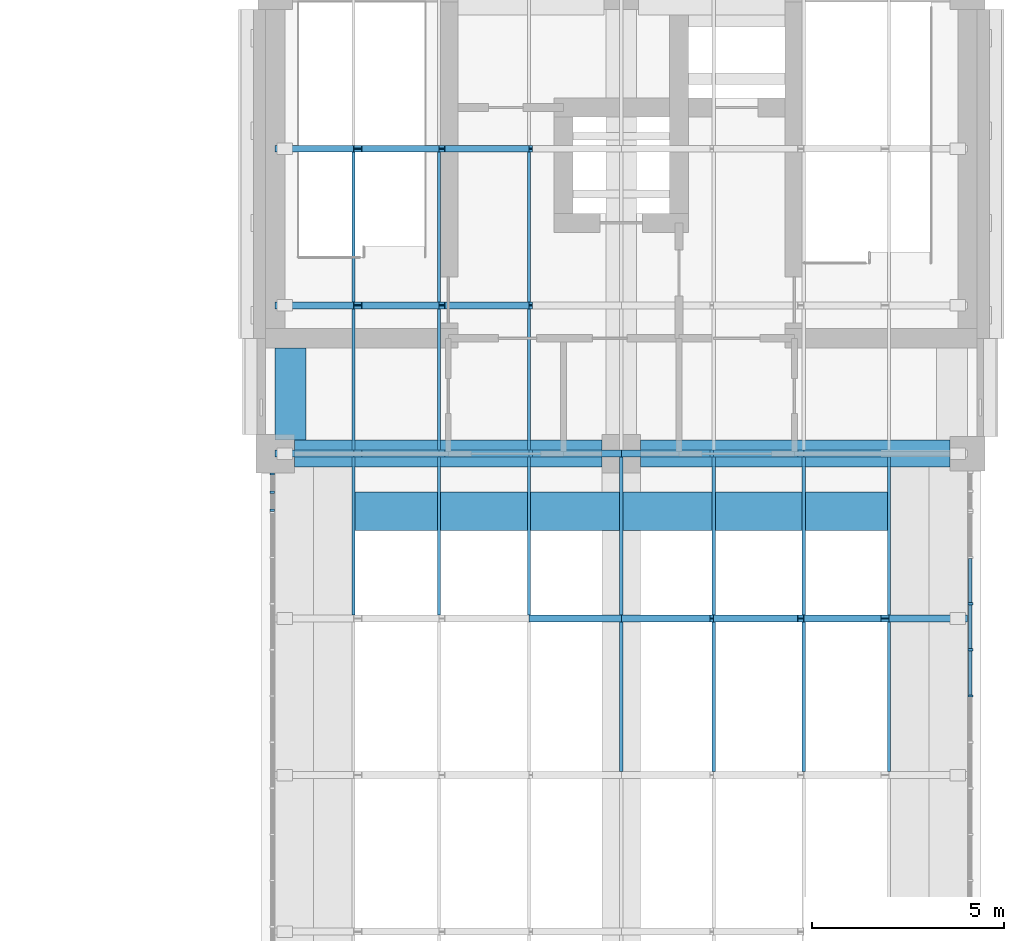
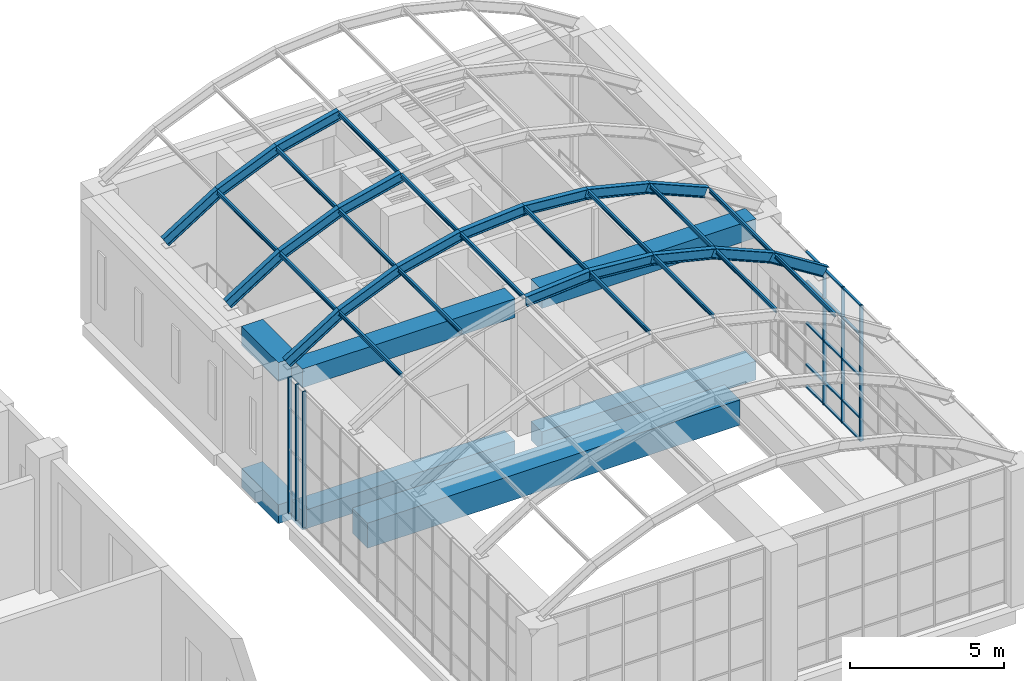
# One storey, part 10 of 39: 56 members, 7 beams, 2 elements without a shape of their own.
"""IFC4 building model written with IfcOpenShell, lengths in metres."""

from ifc_helpers import new_model, si_unit, direction, frame, origin, origin_2d, place, context, subcontext, project, spatial, rectangle, i_section, extrude, material, layer, layer_set, material_profile, profile_set, type_object, element, aggregate, save


model = new_model("IFC4")

# Units and contexts
model_context = context("Model", 3, precision=1e-05, world=origin(), true_north=direction((0.0, 1.0)))
body_context = subcontext(model_context, "Body", "Model", "MODEL_VIEW")
ifc_project = project(units=[si_unit("LENGTHUNIT", "METRE"), si_unit("AREAUNIT", "SQUARE_METRE"), si_unit("VOLUMEUNIT", "CUBIC_METRE"), si_unit("PLANEANGLEUNIT", "RADIAN"), si_unit("MASSUNIT", "GRAM", prefix="KILO")], contexts=[model_context])

# Site, building, storey
site_placement = place(None, origin())
site = spatial("IfcSite", under=ifc_project, at=site_placement, CompositionType="ELEMENT")
building_placement = place(site_placement, origin())
building = spatial("IfcBuilding", under=site, at=building_placement, Name="Aurelan Courthouse", CompositionType="ELEMENT")
storey_placement = place(building_placement, frame((0.0, 0.0, 28.199951171875)))
storey = spatial("IfcBuildingStorey", under=building, at=storey_placement, Name="L05", CompositionType="ELEMENT", Elevation=28.199951171875)

# Curtain wall, members
ifc_material_1 = material(Name="Bronze-finished aluminium and glass", Category="aluminium")
ifc_layer_1 = layer(ifc_material_1, 0.14990234375)
ifc_layer_set_1 = layer_set([ifc_layer_1], Name="Bronze-finished aluminium and glass")
curtain_wall_type_1 = type_object("IfcCurtainWallType", Name="Curtain wall 12000 x 5400", PredefinedType="NOTDEFINED", material=ifc_layer_set_1)
curtain_wall_1_placement = place(storey_placement, origin())
curtain_wall_1 = element("IfcCurtainWall", 1, at=curtain_wall_1_placement, inside=storey, type_object=curtain_wall_type_1, Name="Curtain wall CW-V3-L05-E02", PredefinedType="NOTDEFINED")
ifc_material_2 = material(Name="Bronze-finished aluminium", Category="aluminium")
ifc_material_profile_1 = material_profile(ifc_material_2, rectangle(XDim=0.125, YDim=0.06005859375, at=origin_2d()), Name="Bronze mullion 60 x 125")
ifc_profile_set_1 = profile_set([ifc_material_profile_1], Name="Bronze-finished aluminium")
member_type_1 = type_object("IfcMemberType", Name="Curtain wall mullion 60 x 125", PredefinedType="MULLION", material=ifc_profile_set_1)
member_1_placement = place(storey_placement, frame((90.074951171875, 47.699951171875, 0.0), z_axis=(0.0, 0.0, 1.0), x_axis=(-1.0, 0.0, 0.0)))
member_1 = element("IfcMember", 2, at=member_1_placement, type_object=member_type_1, Name="CW-V3-L05-E02 mullion 7", PredefinedType="MULLION", context=body_context, shape_type="SweptSolid", body=[
    extrude(rectangle(XDim=0.125, YDim=0.06005859375, at=origin_2d()), origin(), (0.0, 0.0, 1.0), 5.400146484375),
])
member_2_placement = place(storey_placement, frame((90.074951171875, 48.89990234375, 0.0), z_axis=(0.0, 0.0, 1.0), x_axis=(-1.0, 0.0, 0.0)))
member_2 = element("IfcMember", 3, at=member_2_placement, type_object=member_type_1, Name="CW-V3-L05-E02 mullion 8", PredefinedType="MULLION", context=body_context, shape_type="SweptSolid", body=[
    extrude(rectangle(XDim=0.125, YDim=0.06005859375, at=origin_2d()), origin(), (0.0, 0.0, 1.0), 5.400146484375),
])
member_3_placement = place(storey_placement, frame((90.074951171875, 50.10009765625, 0.0), z_axis=(0.0, 0.0, 1.0), x_axis=(-1.0, 0.0, 0.0)))
member_3 = element("IfcMember", 4, at=member_3_placement, type_object=member_type_1, Name="CW-V3-L05-E02 mullion 9", PredefinedType="MULLION", context=body_context, shape_type="SweptSolid", body=[
    extrude(rectangle(XDim=0.125, YDim=0.06005859375, at=origin_2d()), origin(), (0.0, 0.0, 1.0), 5.400146484375),
])

ifc_layer_2 = layer(ifc_material_1, 0.14990234375)
ifc_layer_set_2 = layer_set([ifc_layer_2], Name="Bronze-finished aluminium and glass")
curtain_wall_type_2 = type_object("IfcCurtainWallType", Name="Curtain wall 1000 x 5400", PredefinedType="NOTDEFINED", material=ifc_layer_set_2)
curtain_wall_2_placement = place(storey_placement, origin())
curtain_wall_2 = element("IfcCurtainWall", 5, at=curtain_wall_2_placement, inside=storey, type_object=curtain_wall_type_2, Name="Curtain wall CW-V3-L05-W03", PredefinedType="NOTDEFINED")
member_4_placement = place(storey_placement, frame((71.925048828125, 52.530029296875, 0.0), z_axis=(0.0, 0.0, 1.0), x_axis=(-1.0, 0.0, 0.0)))
member_4 = element("IfcMember", 6, at=member_4_placement, type_object=member_type_1, Name="CW-V3-L05-W03 mullion 1", PredefinedType="MULLION", context=body_context, shape_type="SweptSolid", body=[
    extrude(rectangle(XDim=0.125, YDim=0.06005859375, at=origin_2d()), origin(), (0.0, 0.0, 1.0), 5.400146484375),
])
member_5_placement = place(storey_placement, frame((71.925048828125, 53.0, 0.0), z_axis=(0.0, 0.0, 1.0), x_axis=(-1.0, 0.0, 0.0)))
member_5 = element("IfcMember", 7, at=member_5_placement, type_object=member_type_1, Name="CW-V3-L05-W03 mullion 2", PredefinedType="MULLION", context=body_context, shape_type="SweptSolid", body=[
    extrude(rectangle(XDim=0.125, YDim=0.06005859375, at=origin_2d()), origin(), (0.0, 0.0, 1.0), 5.400146484375),
])
member_6_placement = place(storey_placement, frame((71.925048828125, 53.469970703125, 0.0), z_axis=(0.0, 0.0, 1.0), x_axis=(-1.0, 0.0, 0.0)))
member_6 = element("IfcMember", 8, at=member_6_placement, type_object=member_type_1, Name="CW-V3-L05-W03 mullion 3", PredefinedType="MULLION", context=body_context, shape_type="SweptSolid", body=[
    extrude(rectangle(XDim=0.125, YDim=0.06005859375, at=origin_2d()), origin(), (0.0, 0.0, 1.0), 5.400146484375),
])
aggregate(curtain_wall_2, [member_4, member_5, member_6])

# Member
ifc_material_profile_2 = material_profile(ifc_material_2, rectangle(XDim=0.090087890625, YDim=0.06005859375, at=origin_2d()), Name="Bronze transom 60 x 90")
ifc_profile_set_2 = profile_set([ifc_material_profile_2], Name="Bronze-finished aluminium")
member_type_2 = type_object("IfcMemberType", Name="Curtain wall transom 60 x 90", PredefinedType="USERDEFINED", material=ifc_profile_set_2)
member_7_placement = place(storey_placement, frame((90.074951171875, 47.72998046875, 0.030029296875), z_axis=(0.0, 1.0, 0.0), x_axis=(-1.0, 0.0, 0.0)))
member_7 = element("IfcMember", 9, at=member_7_placement, type_object=member_type_2, Name="CW-V3-L05-E02 transom 7.1", ObjectType="TRANSOM", PredefinedType="USERDEFINED", context=body_context, shape_type="SweptSolid", body=[
    extrude(rectangle(XDim=0.090087890625, YDim=0.06005859375, at=origin_2d()), origin(), (0.0, 0.0, 1.0), 1.14013671875),
])

member_8_placement = place(storey_placement, frame((90.074951171875, 47.72998046875, 0.900146484375), z_axis=(0.0, 1.0, 0.0), x_axis=(-1.0, 0.0, 0.0)))
member_8 = element("IfcMember", 10, at=member_8_placement, type_object=member_type_2, Name="CW-V3-L05-E02 transom 7.2", ObjectType="TRANSOM", PredefinedType="USERDEFINED", context=body_context, shape_type="SweptSolid", body=[
    extrude(rectangle(XDim=0.090087890625, YDim=0.06005859375, at=origin_2d()), origin(), (0.0, 0.0, 1.0), 1.14013671875),
])

member_9_placement = place(storey_placement, frame((90.074951171875, 47.72998046875, 2.550048828125), z_axis=(0.0, 1.0, 0.0), x_axis=(-1.0, 0.0, 0.0)))
member_9 = element("IfcMember", 11, at=member_9_placement, type_object=member_type_2, Name="CW-V3-L05-E02 transom 7.3", ObjectType="TRANSOM", PredefinedType="USERDEFINED", context=body_context, shape_type="SweptSolid", body=[
    extrude(rectangle(XDim=0.090087890625, YDim=0.06005859375, at=origin_2d()), origin(), (0.0, 0.0, 1.0), 1.14013671875),
])

member_10_placement = place(storey_placement, frame((90.074951171875, 47.72998046875, 4.199951171875), z_axis=(0.0, 1.0, 0.0), x_axis=(-1.0, 0.0, 0.0)))
member_10 = element("IfcMember", 12, at=member_10_placement, type_object=member_type_2, Name="CW-V3-L05-E02 transom 7.4", ObjectType="TRANSOM", PredefinedType="USERDEFINED", context=body_context, shape_type="SweptSolid", body=[
    extrude(rectangle(XDim=0.090087890625, YDim=0.06005859375, at=origin_2d()), origin(), (0.0, 0.0, 1.0), 1.14013671875),
])

member_11_placement = place(storey_placement, frame((90.074951171875, 47.72998046875, 5.3701171875), z_axis=(0.0, 1.0, 0.0), x_axis=(-1.0, 0.0, 0.0)))
member_11 = element("IfcMember", 13, at=member_11_placement, type_object=member_type_2, Name="CW-V3-L05-E02 transom 7.5", ObjectType="TRANSOM", PredefinedType="USERDEFINED", context=body_context, shape_type="SweptSolid", body=[
    extrude(rectangle(XDim=0.090087890625, YDim=0.06005859375, at=origin_2d()), origin(), (0.0, 0.0, 1.0), 1.14013671875),
])

member_12_placement = place(storey_placement, frame((90.074951171875, 48.929931640625, 0.030029296875), z_axis=(0.0, 1.0, 0.0), x_axis=(-1.0, 0.0, 0.0)))
member_12 = element("IfcMember", 14, at=member_12_placement, type_object=member_type_2, Name="CW-V3-L05-E02 transom 8.1", ObjectType="TRANSOM", PredefinedType="USERDEFINED", context=body_context, shape_type="SweptSolid", body=[
    extrude(rectangle(XDim=0.090087890625, YDim=0.06005859375, at=origin_2d()), origin(), (0.0, 0.0, 1.0), 1.14013671875),
])

member_13_placement = place(storey_placement, frame((90.074951171875, 48.929931640625, 0.900146484375), z_axis=(0.0, 1.0, 0.0), x_axis=(-1.0, 0.0, 0.0)))
member_13 = element("IfcMember", 15, at=member_13_placement, type_object=member_type_2, Name="CW-V3-L05-E02 transom 8.2", ObjectType="TRANSOM", PredefinedType="USERDEFINED", context=body_context, shape_type="SweptSolid", body=[
    extrude(rectangle(XDim=0.090087890625, YDim=0.06005859375, at=origin_2d()), origin(), (0.0, 0.0, 1.0), 1.14013671875),
])

member_14_placement = place(storey_placement, frame((90.074951171875, 48.929931640625, 2.550048828125), z_axis=(0.0, 1.0, 0.0), x_axis=(-1.0, 0.0, 0.0)))
member_14 = element("IfcMember", 16, at=member_14_placement, type_object=member_type_2, Name="CW-V3-L05-E02 transom 8.3", ObjectType="TRANSOM", PredefinedType="USERDEFINED", context=body_context, shape_type="SweptSolid", body=[
    extrude(rectangle(XDim=0.090087890625, YDim=0.06005859375, at=origin_2d()), origin(), (0.0, 0.0, 1.0), 1.14013671875),
])

member_15_placement = place(storey_placement, frame((90.074951171875, 48.929931640625, 4.199951171875), z_axis=(0.0, 1.0, 0.0), x_axis=(-1.0, 0.0, 0.0)))
member_15 = element("IfcMember", 17, at=member_15_placement, type_object=member_type_2, Name="CW-V3-L05-E02 transom 8.4", ObjectType="TRANSOM", PredefinedType="USERDEFINED", context=body_context, shape_type="SweptSolid", body=[
    extrude(rectangle(XDim=0.090087890625, YDim=0.06005859375, at=origin_2d()), origin(), (0.0, 0.0, 1.0), 1.14013671875),
])

member_16_placement = place(storey_placement, frame((90.074951171875, 48.929931640625, 5.3701171875), z_axis=(0.0, 1.0, 0.0), x_axis=(-1.0, 0.0, 0.0)))
member_16 = element("IfcMember", 18, at=member_16_placement, type_object=member_type_2, Name="CW-V3-L05-E02 transom 8.5", ObjectType="TRANSOM", PredefinedType="USERDEFINED", context=body_context, shape_type="SweptSolid", body=[
    extrude(rectangle(XDim=0.090087890625, YDim=0.06005859375, at=origin_2d()), origin(), (0.0, 0.0, 1.0), 1.14013671875),
])

member_17_placement = place(storey_placement, frame((90.074951171875, 50.1298828125, 0.030029296875), z_axis=(0.0, 1.0, 0.0), x_axis=(-1.0, 0.0, 0.0)))
member_17 = element("IfcMember", 19, at=member_17_placement, type_object=member_type_2, Name="CW-V3-L05-E02 transom 9.1", ObjectType="TRANSOM", PredefinedType="USERDEFINED", context=body_context, shape_type="SweptSolid", body=[
    extrude(rectangle(XDim=0.090087890625, YDim=0.06005859375, at=origin_2d()), origin(), (0.0, 0.0, 1.0), 1.14013671875),
])

member_18_placement = place(storey_placement, frame((90.074951171875, 50.1298828125, 0.900146484375), z_axis=(0.0, 1.0, 0.0), x_axis=(-1.0, 0.0, 0.0)))
member_18 = element("IfcMember", 20, at=member_18_placement, type_object=member_type_2, Name="CW-V3-L05-E02 transom 9.2", ObjectType="TRANSOM", PredefinedType="USERDEFINED", context=body_context, shape_type="SweptSolid", body=[
    extrude(rectangle(XDim=0.090087890625, YDim=0.06005859375, at=origin_2d()), origin(), (0.0, 0.0, 1.0), 1.14013671875),
])

member_19_placement = place(storey_placement, frame((90.074951171875, 50.1298828125, 2.550048828125), z_axis=(0.0, 1.0, 0.0), x_axis=(-1.0, 0.0, 0.0)))
member_19 = element("IfcMember", 21, at=member_19_placement, type_object=member_type_2, Name="CW-V3-L05-E02 transom 9.3", ObjectType="TRANSOM", PredefinedType="USERDEFINED", context=body_context, shape_type="SweptSolid", body=[
    extrude(rectangle(XDim=0.090087890625, YDim=0.06005859375, at=origin_2d()), origin(), (0.0, 0.0, 1.0), 1.14013671875),
])

member_20_placement = place(storey_placement, frame((90.074951171875, 50.1298828125, 4.199951171875), z_axis=(0.0, 1.0, 0.0), x_axis=(-1.0, 0.0, 0.0)))
member_20 = element("IfcMember", 22, at=member_20_placement, type_object=member_type_2, Name="CW-V3-L05-E02 transom 9.4", ObjectType="TRANSOM", PredefinedType="USERDEFINED", context=body_context, shape_type="SweptSolid", body=[
    extrude(rectangle(XDim=0.090087890625, YDim=0.06005859375, at=origin_2d()), origin(), (0.0, 0.0, 1.0), 1.14013671875),
])

member_21_placement = place(storey_placement, frame((90.074951171875, 50.1298828125, 5.3701171875), z_axis=(0.0, 1.0, 0.0), x_axis=(-1.0, 0.0, 0.0)))
member_21 = element("IfcMember", 23, at=member_21_placement, type_object=member_type_2, Name="CW-V3-L05-E02 transom 9.5", ObjectType="TRANSOM", PredefinedType="USERDEFINED", context=body_context, shape_type="SweptSolid", body=[
    extrude(rectangle(XDim=0.090087890625, YDim=0.06005859375, at=origin_2d()), origin(), (0.0, 0.0, 1.0), 1.14013671875),
])

aggregate(curtain_wall_1, [member_1, member_2, member_3, member_7, member_8, member_9, member_10, member_11, member_12, member_13, member_14, member_15, member_16, member_17, member_18, member_19, member_20, member_21])

# Beams
ifc_material_3 = material(Name="Concrete C50", Category="concrete")
ifc_material_profile_3 = material_profile(ifc_material_3, rectangle(XDim=0.699951171875, YDim=0.75, at=origin_2d()), Name="RC 700 x 750")
ifc_profile_set_3 = profile_set([ifc_material_profile_3], Name="Concrete C50")
beam_type_1 = type_object("IfcBeamType", Name="PT beam 700 x 750", PredefinedType="BEAM", material=ifc_profile_set_3)
beam_1_placement = place(storey_placement, frame((72.5, 54.0, -0.625), z_axis=(1.0, 0.0, 0.0), x_axis=(0.0, 1.0, 0.0)))
element("IfcBeam", 24, at=beam_1_placement, inside=storey, type_object=beam_type_1, Name="Beam EB-E-9-10", PredefinedType="BEAM", context=body_context, shape_type="SweptSolid", body=[
    extrude(rectangle(XDim=0.699951171875, YDim=0.75, at=origin_2d()), origin(), (0.0, 0.0, 1.0), 8.0),
])
beam_2_placement = place(storey_placement, frame((81.5, 54.0, -0.625), z_axis=(1.0, 0.0, 0.0), x_axis=(0.0, 1.0, 0.0)))
element("IfcBeam", 25, at=beam_2_placement, inside=storey, type_object=beam_type_1, Name="Beam EB-E-10-11", PredefinedType="BEAM", context=body_context, shape_type="SweptSolid", body=[
    extrude(rectangle(XDim=0.699951171875, YDim=0.75, at=origin_2d()), origin(), (0.0, 0.0, 1.0), 8.050048828125),
])
beam_3_placement = place(storey_placement, frame((72.5, 54.0, 5.025146484375), z_axis=(1.0, 0.0, 0.0), x_axis=(0.0, 1.0, 0.0)))
element("IfcBeam", 26, at=beam_3_placement, inside=storey, type_object=beam_type_1, Name="Beam EB-E-9-10R", PredefinedType="BEAM", context=body_context, shape_type="SweptSolid", body=[
    extrude(rectangle(XDim=0.699951171875, YDim=0.75, at=origin_2d()), origin(), (0.0, 0.0, 1.0), 8.0),
])
beam_4_placement = place(storey_placement, frame((81.5, 54.0, 5.025146484375), z_axis=(1.0, 0.0, 0.0), x_axis=(0.0, 1.0, 0.0)))
element("IfcBeam", 27, at=beam_4_placement, inside=storey, type_object=beam_type_1, Name="Beam EB-E-10-11R", PredefinedType="BEAM", context=body_context, shape_type="SweptSolid", body=[
    extrude(rectangle(XDim=0.699951171875, YDim=0.75, at=origin_2d()), origin(), (0.0, 0.0, 1.0), 8.050048828125),
])
ifc_material_profile_4 = material_profile(ifc_material_3, rectangle(XDim=0.800048828125, YDim=0.75, at=origin_2d()), Name="RC 800 x 750")
ifc_profile_set_4 = profile_set([ifc_material_profile_4], Name="Concrete C50")
beam_type_2 = type_object("IfcBeamType", Name="PT girder 800 x 750", PredefinedType="BEAM", material=ifc_profile_set_4)
for number, where, z_axis, x_axis, name in (
    (28, (72.39990234375, 54.35009765625, -0.625), (0.0, 1.0, 0.0), (-1.0, 0.0, 0.0), "Girder GB-9EF-E"),
    (29, (72.39990234375, 54.35009765625, 5.025146484375), (0.0, 1.0, 0.0), (-1.0, 0.0, 0.0), "Girder GB-9EFER"),
):
    element("IfcBeam", number, at=place(storey_placement, frame(where, z_axis=z_axis, x_axis=x_axis)), inside=storey, type_object=beam_type_2, Name=name, PredefinedType="BEAM", context=body_context, shape_type="SweptSolid", body=[
        extrude(rectangle(XDim=0.800048828125, YDim=0.75, at=origin_2d()), origin(), (0.0, 0.0, 1.0), 2.39990234375),
    ])
ifc_material_4 = material(Name="Concrete C40", Category="concrete")
ifc_material_profile_5 = material_profile(ifc_material_4, rectangle(XDim=1.0, YDim=1.0, at=origin_2d()), Name="RC 1000 x 1000")
ifc_profile_set_5 = profile_set([ifc_material_profile_5], Name="Concrete C40")
beam_type_3 = type_object("IfcBeamType", Name="RC trimmer beam 1000 x 1000", PredefinedType="JOIST", material=ifc_profile_set_5)
beam_5_placement = place(storey_placement, frame((74.0, 52.5, -0.75), z_axis=(1.0, 0.0, 0.0), x_axis=(0.0, 1.0, 0.0)))
element("IfcBeam", 30, at=beam_5_placement, inside=storey, type_object=beam_type_3, Name="Trimmer beam TB-L05-004", PredefinedType="JOIST", context=body_context, shape_type="SweptSolid", body=[
    extrude(rectangle(XDim=1.0, YDim=1.0, at=origin_2d()), origin(), (0.0, 0.0, 1.0), 14.0),
])

# Members
ifc_material_5 = material(Name="Steel S355", Category="steel")
ifc_material_profile_6 = material_profile(ifc_material_5, i_section(OverallWidth=0.08203125, OverallDepth=0.159912109375, WebThickness=0.0048828125, FlangeThickness=0.00732421875, FilletRadius=0.009033203125, at=origin_2d()), Name="IPE 160")
ifc_profile_set_6 = profile_set([ifc_material_profile_6], Name="Steel S355")
member_type_3 = type_object("IfcMemberType", Name="Vault purlin IPE 160", PredefinedType="PURLIN", material=ifc_profile_set_6)
member_22_placement = place(storey_placement, frame((74.038330078125, 49.80419921875, 6.93798828125), z_axis=(0.0, 1.0, 0.0), x_axis=(-1.0, 0.0, 0.0)))
element("IfcMember", 31, at=member_22_placement, inside=storey, type_object=member_type_3, Name="Vault purlin VP 1-4", PredefinedType="PURLIN", context=body_context, shape_type="SweptSolid", body=[
    extrude(i_section(OverallWidth=0.08203125, OverallDepth=0.159912109375, WebThickness=0.0048828125, FlangeThickness=0.00732421875, FilletRadius=0.009033203125, at=origin_2d()), origin(), (0.0, 0.0, 1.0), 4.105712890625),
])
member_23_placement = place(storey_placement, frame((74.038330078125, 54.090087890625, 6.93798828125), z_axis=(0.0, 1.0, 0.0), x_axis=(-1.0, 0.0, 0.0)))
element("IfcMember", 32, at=member_23_placement, inside=storey, type_object=member_type_3, Name="Vault purlin VP 1-5", PredefinedType="PURLIN", context=body_context, shape_type="SweptSolid", body=[
    extrude(i_section(OverallWidth=0.08203125, OverallDepth=0.159912109375, WebThickness=0.0048828125, FlangeThickness=0.00732421875, FilletRadius=0.009033203125, at=origin_2d()), origin(), (0.0, 0.0, 1.0), 3.677001953125),
])
member_24_placement = place(storey_placement, frame((74.038330078125, 57.947021484375, 6.93798828125), z_axis=(0.0, 1.0, 0.0), x_axis=(-1.0, 0.0, 0.0)))
element("IfcMember", 33, at=member_24_placement, inside=storey, type_object=member_type_3, Name="Vault purlin VP 1-6", PredefinedType="PURLIN", context=body_context, shape_type="SweptSolid", body=[
    extrude(i_section(OverallWidth=0.08203125, OverallDepth=0.159912109375, WebThickness=0.0048828125, FlangeThickness=0.00732421875, FilletRadius=0.009033203125, at=origin_2d()), origin(), (0.0, 0.0, 1.0), 3.8916015625),
])
member_25_placement = place(storey_placement, frame((76.256591796875, 49.80419921875, 7.89013671875), z_axis=(0.0, 1.0, 0.0), x_axis=(-1.0, 0.0, 0.0)))
element("IfcMember", 34, at=member_25_placement, inside=storey, type_object=member_type_3, Name="Vault purlin VP 2-4", PredefinedType="PURLIN", context=body_context, shape_type="SweptSolid", body=[
    extrude(i_section(OverallWidth=0.08203125, OverallDepth=0.159912109375, WebThickness=0.0048828125, FlangeThickness=0.00732421875, FilletRadius=0.009033203125, at=origin_2d()), origin(), (0.0, 0.0, 1.0), 4.105712890625),
])
member_26_placement = place(storey_placement, frame((76.256591796875, 54.090087890625, 7.89013671875), z_axis=(0.0, 1.0, 0.0), x_axis=(-1.0, 0.0, 0.0)))
element("IfcMember", 35, at=member_26_placement, inside=storey, type_object=member_type_3, Name="Vault purlin VP 2-5", PredefinedType="PURLIN", context=body_context, shape_type="SweptSolid", body=[
    extrude(i_section(OverallWidth=0.08203125, OverallDepth=0.159912109375, WebThickness=0.0048828125, FlangeThickness=0.00732421875, FilletRadius=0.009033203125, at=origin_2d()), origin(), (0.0, 0.0, 1.0), 3.677001953125),
])
member_27_placement = place(storey_placement, frame((76.256591796875, 57.947021484375, 7.89013671875), z_axis=(0.0, 1.0, 0.0), x_axis=(-1.0, 0.0, 0.0)))
element("IfcMember", 36, at=member_27_placement, inside=storey, type_object=member_type_3, Name="Vault purlin VP 2-6", PredefinedType="PURLIN", context=body_context, shape_type="SweptSolid", body=[
    extrude(i_section(OverallWidth=0.08203125, OverallDepth=0.159912109375, WebThickness=0.0048828125, FlangeThickness=0.00732421875, FilletRadius=0.009033203125, at=origin_2d()), origin(), (0.0, 0.0, 1.0), 3.8916015625),
])
member_28_placement = place(storey_placement, frame((78.597412109375, 49.80419921875, 8.473388671875), z_axis=(0.0, 1.0, 0.0), x_axis=(-1.0, 0.0, 0.0)))
element("IfcMember", 37, at=member_28_placement, inside=storey, type_object=member_type_3, Name="Vault purlin VP 3-4", PredefinedType="PURLIN", context=body_context, shape_type="SweptSolid", body=[
    extrude(i_section(OverallWidth=0.08203125, OverallDepth=0.159912109375, WebThickness=0.0048828125, FlangeThickness=0.00732421875, FilletRadius=0.009033203125, at=origin_2d()), origin(), (0.0, 0.0, 1.0), 4.105712890625),
])
member_29_placement = place(storey_placement, frame((78.597412109375, 54.090087890625, 8.473388671875), z_axis=(0.0, 1.0, 0.0), x_axis=(-1.0, 0.0, 0.0)))
element("IfcMember", 38, at=member_29_placement, inside=storey, type_object=member_type_3, Name="Vault purlin VP 3-5", PredefinedType="PURLIN", context=body_context, shape_type="SweptSolid", body=[
    extrude(i_section(OverallWidth=0.08203125, OverallDepth=0.159912109375, WebThickness=0.0048828125, FlangeThickness=0.00732421875, FilletRadius=0.009033203125, at=origin_2d()), origin(), (0.0, 0.0, 1.0), 3.677001953125),
])
member_30_placement = place(storey_placement, frame((78.597412109375, 57.947021484375, 8.473388671875), z_axis=(0.0, 1.0, 0.0), x_axis=(-1.0, 0.0, 0.0)))
element("IfcMember", 39, at=member_30_placement, inside=storey, type_object=member_type_3, Name="Vault purlin VP 3-6", PredefinedType="PURLIN", context=body_context, shape_type="SweptSolid", body=[
    extrude(i_section(OverallWidth=0.08203125, OverallDepth=0.159912109375, WebThickness=0.0048828125, FlangeThickness=0.00732421875, FilletRadius=0.009033203125, at=origin_2d()), origin(), (0.0, 0.0, 1.0), 3.8916015625),
])
member_31_placement = place(storey_placement, frame((81.0, 45.73291015625, 8.673828125), z_axis=(0.0, 1.0, 0.0), x_axis=(-1.0, 0.0, 0.0)))
element("IfcMember", 40, at=member_31_placement, inside=storey, type_object=member_type_3, Name="Vault purlin VP 4-3", PredefinedType="PURLIN", context=body_context, shape_type="SweptSolid", body=[
    extrude(i_section(OverallWidth=0.08203125, OverallDepth=0.159912109375, WebThickness=0.0048828125, FlangeThickness=0.00732421875, FilletRadius=0.009033203125, at=origin_2d()), origin(), (0.0, 0.0, 1.0), 3.891357421875),
])
member_32_placement = place(storey_placement, frame((81.0, 49.80419921875, 8.673828125), z_axis=(0.0, 1.0, 0.0), x_axis=(-1.0, 0.0, 0.0)))
element("IfcMember", 41, at=member_32_placement, inside=storey, type_object=member_type_3, Name="Vault purlin VP 4-4", PredefinedType="PURLIN", context=body_context, shape_type="SweptSolid", body=[
    extrude(i_section(OverallWidth=0.08203125, OverallDepth=0.159912109375, WebThickness=0.0048828125, FlangeThickness=0.00732421875, FilletRadius=0.009033203125, at=origin_2d()), origin(), (0.0, 0.0, 1.0), 4.105712890625),
])
member_33_placement = place(storey_placement, frame((83.402587890625, 45.73291015625, 8.473388671875), z_axis=(0.0, 1.0, 0.0), x_axis=(-1.0, 0.0, 0.0)))
element("IfcMember", 42, at=member_33_placement, inside=storey, type_object=member_type_3, Name="Vault purlin VP 5-3", PredefinedType="PURLIN", context=body_context, shape_type="SweptSolid", body=[
    extrude(i_section(OverallWidth=0.08203125, OverallDepth=0.159912109375, WebThickness=0.0048828125, FlangeThickness=0.00732421875, FilletRadius=0.009033203125, at=origin_2d()), origin(), (0.0, 0.0, 1.0), 3.891357421875),
])
member_34_placement = place(storey_placement, frame((83.402587890625, 49.80419921875, 8.473388671875), z_axis=(0.0, 1.0, 0.0), x_axis=(-1.0, 0.0, 0.0)))
element("IfcMember", 43, at=member_34_placement, inside=storey, type_object=member_type_3, Name="Vault purlin VP 5-4", PredefinedType="PURLIN", context=body_context, shape_type="SweptSolid", body=[
    extrude(i_section(OverallWidth=0.08203125, OverallDepth=0.159912109375, WebThickness=0.0048828125, FlangeThickness=0.00732421875, FilletRadius=0.009033203125, at=origin_2d()), origin(), (0.0, 0.0, 1.0), 4.105712890625),
])
member_35_placement = place(storey_placement, frame((85.743408203125, 45.73291015625, 7.89013671875), z_axis=(0.0, 1.0, 0.0), x_axis=(-1.0, 0.0, 0.0)))
element("IfcMember", 44, at=member_35_placement, inside=storey, type_object=member_type_3, Name="Vault purlin VP 6-3", PredefinedType="PURLIN", context=body_context, shape_type="SweptSolid", body=[
    extrude(i_section(OverallWidth=0.08203125, OverallDepth=0.159912109375, WebThickness=0.0048828125, FlangeThickness=0.00732421875, FilletRadius=0.009033203125, at=origin_2d()), origin(), (0.0, 0.0, 1.0), 3.891357421875),
])
member_36_placement = place(storey_placement, frame((85.743408203125, 49.80419921875, 7.89013671875), z_axis=(0.0, 1.0, 0.0), x_axis=(-1.0, 0.0, 0.0)))
element("IfcMember", 45, at=member_36_placement, inside=storey, type_object=member_type_3, Name="Vault purlin VP 6-4", PredefinedType="PURLIN", context=body_context, shape_type="SweptSolid", body=[
    extrude(i_section(OverallWidth=0.08203125, OverallDepth=0.159912109375, WebThickness=0.0048828125, FlangeThickness=0.00732421875, FilletRadius=0.009033203125, at=origin_2d()), origin(), (0.0, 0.0, 1.0), 4.105712890625),
])
member_37_placement = place(storey_placement, frame((87.961669921875, 45.73291015625, 6.93798828125), z_axis=(0.0, 1.0, 0.0), x_axis=(-1.0, 0.0, 0.0)))
element("IfcMember", 46, at=member_37_placement, inside=storey, type_object=member_type_3, Name="Vault purlin VP 7-3", PredefinedType="PURLIN", context=body_context, shape_type="SweptSolid", body=[
    extrude(i_section(OverallWidth=0.08203125, OverallDepth=0.159912109375, WebThickness=0.0048828125, FlangeThickness=0.00732421875, FilletRadius=0.009033203125, at=origin_2d()), origin(), (0.0, 0.0, 1.0), 3.891357421875),
])
member_38_placement = place(storey_placement, frame((87.961669921875, 49.80419921875, 6.93798828125), z_axis=(0.0, 1.0, 0.0), x_axis=(-1.0, 0.0, 0.0)))
element("IfcMember", 47, at=member_38_placement, inside=storey, type_object=member_type_3, Name="Vault purlin VP 7-4", PredefinedType="PURLIN", context=body_context, shape_type="SweptSolid", body=[
    extrude(i_section(OverallWidth=0.08203125, OverallDepth=0.159912109375, WebThickness=0.0048828125, FlangeThickness=0.00732421875, FilletRadius=0.009033203125, at=origin_2d()), origin(), (0.0, 0.0, 1.0), 4.105712890625),
])
ifc_material_profile_7 = material_profile(ifc_material_5, i_section(OverallWidth=0.179931640625, OverallDepth=0.39990234375, WebThickness=0.008544921875, FlangeThickness=0.013427734375, FilletRadius=0.02099609375, at=origin_2d()), Name="IPE 400")
ifc_profile_set_7 = profile_set([ifc_material_profile_7], Name="Steel S355")
member_type_4 = type_object("IfcMemberType", Name="Vault rib IPE 400", PredefinedType="RAFTER", material=ifc_profile_set_7)
for number, where, z_axis, x_axis, name in (
    (48, (78.61328125, 49.71435546875, 8.365234375), (0.996769711299, 0.0, 0.080312780031), (0.0, 1.0, 0.0), "Vault rib VR-4 segment 4"),
    (49, (80.98388671875, 49.71435546875, 8.558837890625), (0.996769711299, 0.0, -0.080312780031), (0.0, 1.0, 0.0), "Vault rib VR-4 segment 5"),
):
    element("IfcMember", number, at=place(storey_placement, frame(where, z_axis=z_axis, x_axis=x_axis)), inside=storey, type_object=member_type_4, Name=name, PredefinedType="RAFTER", context=body_context, shape_type="SweptSolid", body=[
        extrude(i_section(OverallWidth=0.179931640625, OverallDepth=0.39990234375, WebThickness=0.008544921875, FlangeThickness=0.013427734375, FilletRadius=0.02099609375, at=origin_2d()), origin(), (0.0, 0.0, 1.0), 2.41064453125),
    ])
member_39_placement = place(storey_placement, frame((83.35498046875, 49.71435546875, 8.370361328125), z_axis=(0.971011985674, 0.0, -0.239030800687), x_axis=(0.0, 1.0, 0.0)))
element("IfcMember", 50, at=member_39_placement, inside=storey, type_object=member_type_4, Name="Vault rib VR-4 segment 6", PredefinedType="RAFTER", context=body_context, shape_type="SweptSolid", body=[
    extrude(i_section(OverallWidth=0.179931640625, OverallDepth=0.39990234375, WebThickness=0.008544921875, FlangeThickness=0.013427734375, FilletRadius=0.02099609375, at=origin_2d()), origin(), (0.0, 0.0, 1.0), 2.410400390625),
])
for number, where, z_axis, x_axis, name in (
    (51, (85.6650390625, 49.71435546875, 7.804443359375), (0.920205091929, 0.0, -0.391436570582), (0.0, 1.0, 0.0), "Vault rib VR-4 segment 7"),
    (52, (87.854736328125, 49.71435546875, 6.875732421875), (0.84565732059, 0.0, -0.533726237067), (0.0, 1.0, 0.0), "Vault rib VR-4 segment 8"),
    (53, (72.106689453125, 54.0, 5.589111328125), (0.84565732059, 0.0, 0.533726237067), (0.0, 1.0, 0.0), "Vault rib VR-5 segment 1"),
    (54, (74.11669921875, 54.0, 6.86083984375), (0.920205091929, 0.0, 0.391436570582), (0.0, 1.0, 0.0), "Vault rib VR-5 segment 2"),
):
    element("IfcMember", number, at=place(storey_placement, frame(where, z_axis=z_axis, x_axis=x_axis)), inside=storey, type_object=member_type_4, Name=name, PredefinedType="RAFTER", context=body_context, shape_type="SweptSolid", body=[
        extrude(i_section(OverallWidth=0.179931640625, OverallDepth=0.39990234375, WebThickness=0.008544921875, FlangeThickness=0.013427734375, FilletRadius=0.02099609375, at=origin_2d()), origin(), (0.0, 0.0, 1.0), 2.41064453125),
    ])
member_40_placement = place(storey_placement, frame((76.304443359375, 54.0, 7.794189453125), z_axis=(0.971011985674, 0.0, 0.239030800687), x_axis=(0.0, 1.0, 0.0)))
element("IfcMember", 55, at=member_40_placement, inside=storey, type_object=member_type_4, Name="Vault rib VR-5 segment 3", PredefinedType="RAFTER", context=body_context, shape_type="SweptSolid", body=[
    extrude(i_section(OverallWidth=0.179931640625, OverallDepth=0.39990234375, WebThickness=0.008544921875, FlangeThickness=0.013427734375, FilletRadius=0.02099609375, at=origin_2d()), origin(), (0.0, 0.0, 1.0), 2.410400390625),
])
for number, where, z_axis, x_axis, name in (
    (56, (78.61328125, 54.0, 8.365234375), (0.996769711299, 0.0, 0.080312780031), (0.0, 1.0, 0.0), "Vault rib VR-5 segment 4"),
    (57, (80.98388671875, 54.0, 8.558837890625), (0.996769711299, 0.0, -0.080312780031), (0.0, 1.0, 0.0), "Vault rib VR-5 segment 5"),
):
    element("IfcMember", number, at=place(storey_placement, frame(where, z_axis=z_axis, x_axis=x_axis)), inside=storey, type_object=member_type_4, Name=name, PredefinedType="RAFTER", context=body_context, shape_type="SweptSolid", body=[
        extrude(i_section(OverallWidth=0.179931640625, OverallDepth=0.39990234375, WebThickness=0.008544921875, FlangeThickness=0.013427734375, FilletRadius=0.02099609375, at=origin_2d()), origin(), (0.0, 0.0, 1.0), 2.41064453125),
    ])
member_41_placement = place(storey_placement, frame((83.35498046875, 54.0, 8.370361328125), z_axis=(0.971011985674, 0.0, -0.239030800687), x_axis=(0.0, 1.0, 0.0)))
element("IfcMember", 58, at=member_41_placement, inside=storey, type_object=member_type_4, Name="Vault rib VR-5 segment 6", PredefinedType="RAFTER", context=body_context, shape_type="SweptSolid", body=[
    extrude(i_section(OverallWidth=0.179931640625, OverallDepth=0.39990234375, WebThickness=0.008544921875, FlangeThickness=0.013427734375, FilletRadius=0.02099609375, at=origin_2d()), origin(), (0.0, 0.0, 1.0), 2.410400390625),
])
for number, where, z_axis, x_axis, name in (
    (59, (85.6650390625, 54.0, 7.804443359375), (0.920205091929, 0.0, -0.391436570582), (0.0, 1.0, 0.0), "Vault rib VR-5 segment 7"),
    (60, (72.106689453125, 57.857177734375, 5.589111328125), (0.84565732059, 0.0, 0.533726237067), (0.0, 1.0, 0.0), "Vault rib VR-6 segment 1"),
    (61, (74.11669921875, 57.857177734375, 6.86083984375), (0.920205091929, 0.0, 0.391436570582), (0.0, 1.0, 0.0), "Vault rib VR-6 segment 2"),
):
    element("IfcMember", number, at=place(storey_placement, frame(where, z_axis=z_axis, x_axis=x_axis)), inside=storey, type_object=member_type_4, Name=name, PredefinedType="RAFTER", context=body_context, shape_type="SweptSolid", body=[
        extrude(i_section(OverallWidth=0.179931640625, OverallDepth=0.39990234375, WebThickness=0.008544921875, FlangeThickness=0.013427734375, FilletRadius=0.02099609375, at=origin_2d()), origin(), (0.0, 0.0, 1.0), 2.41064453125),
    ])
member_42_placement = place(storey_placement, frame((76.304443359375, 57.857177734375, 7.794189453125), z_axis=(0.971011985674, 0.0, 0.239030800687), x_axis=(0.0, 1.0, 0.0)))
element("IfcMember", 62, at=member_42_placement, inside=storey, type_object=member_type_4, Name="Vault rib VR-6 segment 3", PredefinedType="RAFTER", context=body_context, shape_type="SweptSolid", body=[
    extrude(i_section(OverallWidth=0.179931640625, OverallDepth=0.39990234375, WebThickness=0.008544921875, FlangeThickness=0.013427734375, FilletRadius=0.02099609375, at=origin_2d()), origin(), (0.0, 0.0, 1.0), 2.410400390625),
])
for number, where, z_axis, x_axis, name in (
    (63, (72.106689453125, 61.9287109375, 5.589111328125), (0.84565732059, 0.0, 0.533726237067), (0.0, 1.0, 0.0), "Vault rib VR-7 segment 1"),
    (64, (74.11669921875, 61.9287109375, 6.86083984375), (0.920205091929, 0.0, 0.391436570582), (0.0, 1.0, 0.0), "Vault rib VR-7 segment 2"),
):
    element("IfcMember", number, at=place(storey_placement, frame(where, z_axis=z_axis, x_axis=x_axis)), inside=storey, type_object=member_type_4, Name=name, PredefinedType="RAFTER", context=body_context, shape_type="SweptSolid", body=[
        extrude(i_section(OverallWidth=0.179931640625, OverallDepth=0.39990234375, WebThickness=0.008544921875, FlangeThickness=0.013427734375, FilletRadius=0.02099609375, at=origin_2d()), origin(), (0.0, 0.0, 1.0), 2.41064453125),
    ])
member_43_placement = place(storey_placement, frame((76.304443359375, 61.9287109375, 7.794189453125), z_axis=(0.971011985674, 0.0, 0.239030800687), x_axis=(0.0, 1.0, 0.0)))
element("IfcMember", 65, at=member_43_placement, inside=storey, type_object=member_type_4, Name="Vault rib VR-7 segment 3", PredefinedType="RAFTER", context=body_context, shape_type="SweptSolid", body=[
    extrude(i_section(OverallWidth=0.179931640625, OverallDepth=0.39990234375, WebThickness=0.008544921875, FlangeThickness=0.013427734375, FilletRadius=0.02099609375, at=origin_2d()), origin(), (0.0, 0.0, 1.0), 2.410400390625),
])

save(model, "model.ifc")
